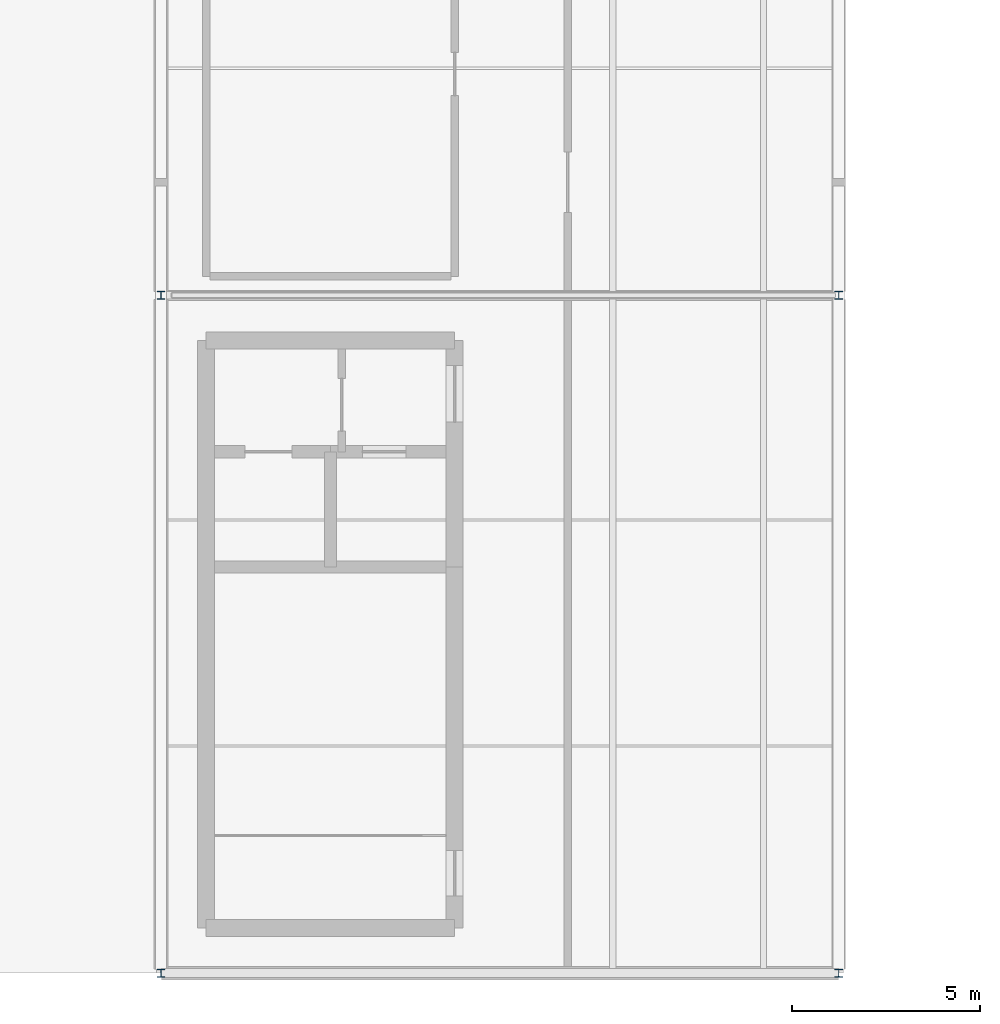
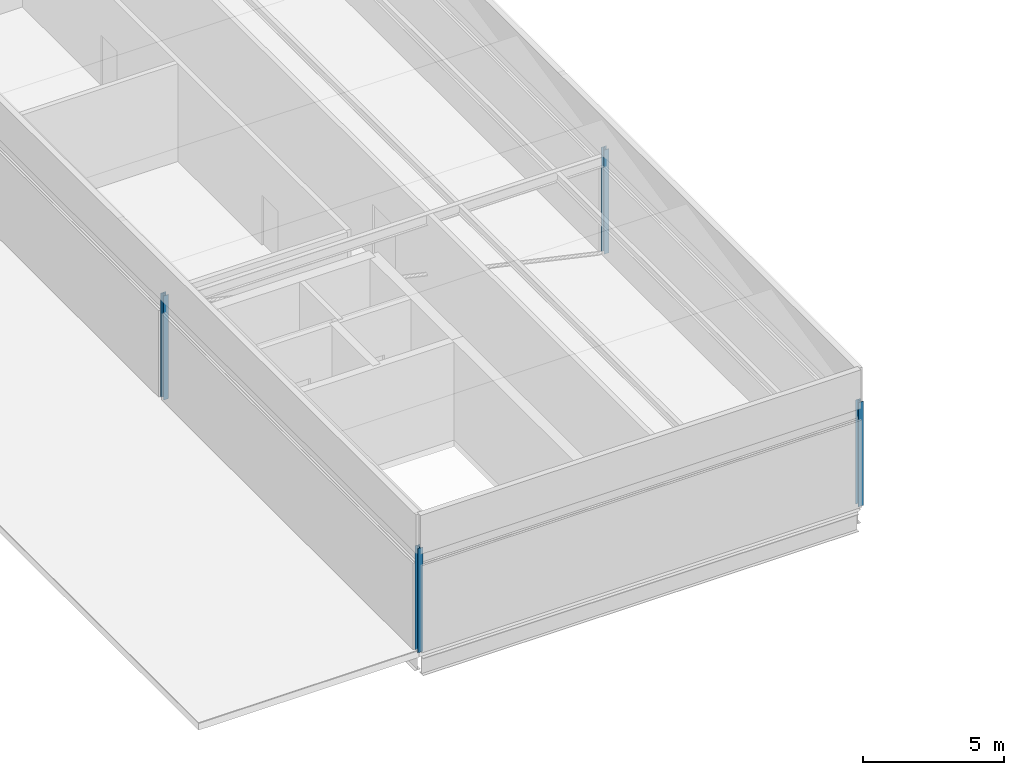
# One storey, part 1 of 13: 4 columns.
"""IFC4 building model written with IfcOpenShell, lengths in metres."""

from ifc_helpers import new_model, si_unit, direction, frame, origin, origin_2d, place, context, subcontext, project, spatial, i_section, extrude, material, material_profile, profile_set, type_object, element, save


model = new_model("IFC4")

# Units and contexts
model_context = context("Model", 3, precision=1e-05, world=origin(), true_north=direction((0.0, 1.0)))
body_context = subcontext(model_context, "Body", "Model", "MODEL_VIEW")
ifc_project = project(units=[si_unit("LENGTHUNIT", "METRE"), si_unit("AREAUNIT", "SQUARE_METRE"), si_unit("VOLUMEUNIT", "CUBIC_METRE"), si_unit("PLANEANGLEUNIT", "RADIAN"), si_unit("MASSUNIT", "GRAM", prefix="KILO")], contexts=[model_context])

# Site, building, storey
site_placement = place(None, origin())
site = spatial("IfcSite", under=ifc_project, at=site_placement, CompositionType="ELEMENT")
building_placement = place(site_placement, origin())
building = spatial("IfcBuilding", under=site, at=building_placement, Name="Kisiwana Market Hall", CompositionType="ELEMENT")
storey_placement = place(building_placement, frame((0.0, 0.0, 69.89990234375)))
storey = spatial("IfcBuildingStorey", under=building, at=storey_placement, Name="L16", CompositionType="ELEMENT", Elevation=69.89990234375)

# Columns
ifc_material = material(Name="Steel S355", Category="steel")
ifc_material_profile = material_profile(ifc_material, i_section(OverallWidth=0.205810546875, OverallDepth=0.209716796875, WebThickness=0.009521484375, FlangeThickness=0.01416015625, FilletRadius=0.01025390625, at=origin_2d()), Name="UC 203x203x60")
ifc_profile_set = profile_set([ifc_material_profile], Name="Steel S355")
column_type = type_object("IfcColumnType", Name="COL-STL-UC060", PredefinedType="COLUMN", material=ifc_profile_set)
for number, where, z_axis, x_axis, name in (
    (1, (9.0, 18.0, 0.0), (0.0, 0.0, 1.0), (1.0, 0.0, 0.0), "Column C/2 (L16) C-1510"),
    (2, (9.0, 36.0, 0.0), (0.0, 0.0, 1.0), (1.0, 0.0, 0.0), "Column E/2 (L16) C-1511"),
    (3, (27.0, 18.0, 0.0), (0.0, 0.0, 1.0), (1.0, 0.0, 0.0), "Column C/4 (L16) C-1514"),
    (4, (27.0, 36.0, 0.0), (0.0, 0.0, 1.0), (1.0, 0.0, 0.0), "Column E/4 (L16) C-1515"),
):
    element("IfcColumn", number, at=place(storey_placement, frame(where, z_axis=z_axis, x_axis=x_axis)), inside=storey, type_object=column_type, Name=name, PredefinedType="COLUMN", context=body_context, shape_type="SweptSolid", body=[
        extrude(i_section(OverallWidth=0.205810546875, OverallDepth=0.209716796875, WebThickness=0.009521484375, FlangeThickness=0.01416015625, FilletRadius=0.01025390625, at=origin_2d()), origin(), (0.0, 0.0, 1.0), 4.5),
    ])

save(model, "model.ifc")
